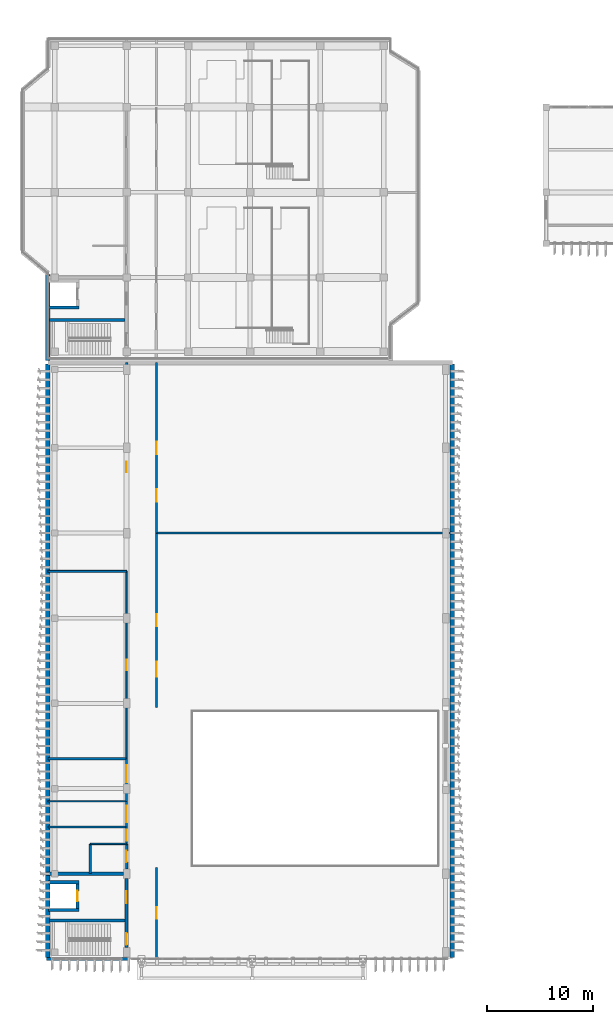
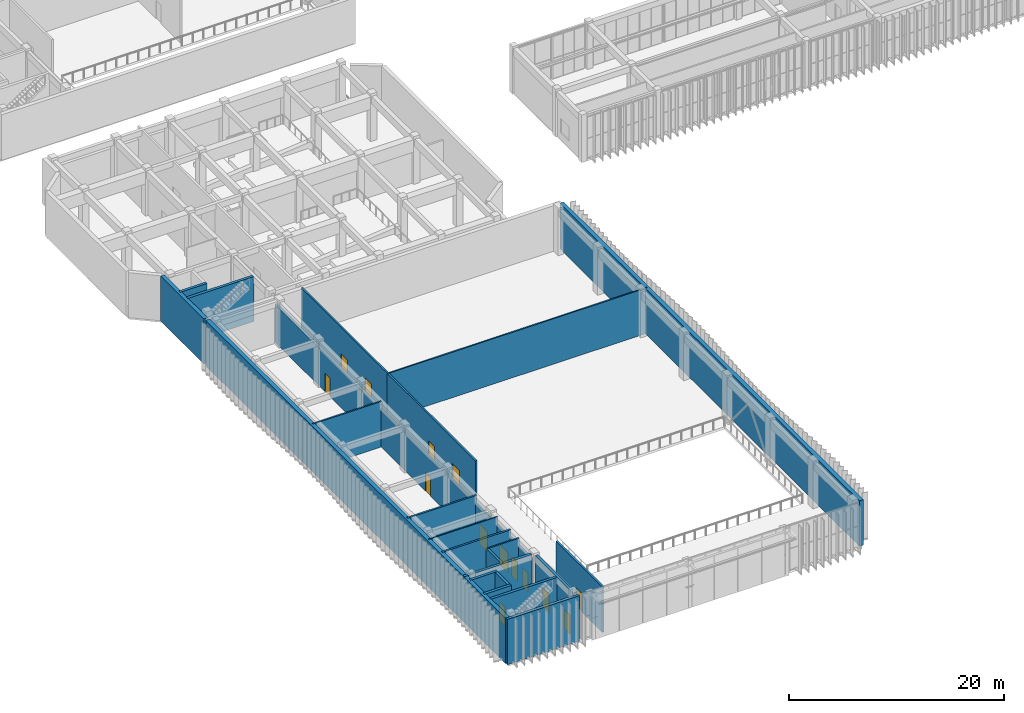
# One storey, part 38 of 64: 28 walls, 14 doors, 14 openings.
"""IFC4 building model written with IfcOpenShell, lengths in metres."""

from ifc_helpers import new_model, si_unit, direction, frame, frame_2d, origin, place, context, subcontext, project, spatial, rectangle, extrude, material, layer, layer_set, type_object, element, fill, save


model = new_model("IFC4")

# Units and contexts
model_context = context("Model", 3, precision=1e-05, world=origin(), true_north=direction((0.0, 1.0)))
body_context = subcontext(model_context, "Body", "Model", "MODEL_VIEW")
ifc_project = project(units=[si_unit("LENGTHUNIT", "METRE"), si_unit("AREAUNIT", "SQUARE_METRE"), si_unit("VOLUMEUNIT", "CUBIC_METRE"), si_unit("PLANEANGLEUNIT", "RADIAN"), si_unit("MASSUNIT", "GRAM", prefix="KILO")], contexts=[model_context])

# Site, building, storey
site_placement = place(None, origin())
site = spatial("IfcSite", under=ifc_project, at=site_placement, CompositionType="ELEMENT")
building_placement = place(site_placement, origin())
building = spatial("IfcBuilding", under=site, at=building_placement, Name="Cinchona Park Media Centre", CompositionType="ELEMENT")
storey_placement = place(building_placement, frame((0.0, 0.0, 10.199951171875)))
storey = spatial("IfcBuildingStorey", under=building, at=storey_placement, Name="L02", CompositionType="ELEMENT", Elevation=10.199951171875)

# Walls
ifc_material_1 = material(Name="Precast concrete C40/50", Category="concrete")
ifc_layer_1 = layer(ifc_material_1, 0.425048828125)
ifc_layer_set_1 = layer_set([ifc_layer_1], Name="Precast concrete C40/50")
wall_type_1 = type_object("IfcWallType", Name="WALL-W-AC01", PredefinedType="SOLIDWALL", material=ifc_layer_set_1)
for number, where, z_axis, x_axis, name in (
    (1, (46.0, 63.4599609375, 0.0), (0.0, 0.0, 1.0), (0.0, -1.0, 0.0), "Exterior Wall W-AC01 V1 L02"),
    (2, (8.0, 7.739990234375, 0.0), (0.0, 0.0, 1.0), (0.0, 1.0, 0.0), "Exterior Wall W-AC01 V1 L02"),
):
    element("IfcWall", number, at=place(storey_placement, frame(where, z_axis=z_axis, x_axis=x_axis)), inside=storey, type_object=wall_type_1, Name=name, PredefinedType="SOLIDWALL", context=body_context, shape_type="SweptSolid", body=[
        extrude(rectangle(XDim=55.719970703125, YDim=0.425048828125, at=frame_2d((27.85986328125, 0.0))), origin(), (0.0, 0.0, 1.0), 5.16015625),
    ])
wall_1_placement = place(storey_placement, frame((8.0, 63.818115234375, 0.0), z_axis=(0.0, 0.0, 1.0), x_axis=(0.0, 1.0, 0.0)))
element("IfcWall", 3, at=wall_1_placement, inside=storey, type_object=wall_type_1, Name="Exterior Wall W-AC01 V4 L02", PredefinedType="SOLIDWALL", context=body_context, shape_type="SweptSolid", body=[
    extrude(rectangle(XDim=8.0419921875, YDim=0.425048828125, at=frame_2d((4.02099609375, 0.0))), origin(), (0.0, 0.0, 1.0), 5.10009765625),
])

# Wall, opening, door
ifc_material_2 = material(Name="Acoustic Double-Stud Gypsum Partition", Category="gypsum")
ifc_layer_2 = layer(ifc_material_2, 0.2099609375)
ifc_layer_set_2 = layer_set([ifc_layer_2], Name="Acoustic Double-Stud Gypsum Partition")
wall_type_2 = type_object("IfcWallType", Name="WALL-W-AC210", PredefinedType="PARTITIONING", material=ifc_layer_set_2)
wall_2_placement = place(storey_placement, frame((15.39990234375, 18.39990234375, 0.0), z_axis=(0.0, 0.0, 1.0), x_axis=(0.0, 1.0, 0.0)))
wall_2 = element("IfcWall", 4, at=wall_2_placement, inside=storey, type_object=wall_type_2, Name="Interior Wall W-AC210 L02", PredefinedType="PARTITIONING", context=body_context, shape_type="SweptSolid", body=[
    extrude(rectangle(XDim=1.60009765625, YDim=0.2099609375, at=frame_2d((0.800048828125, 0.0))), origin(), (0.0, 0.0, 1.0), 4.31005859375),
])
opening_1_placement = place(wall_2_placement, frame((0.280029296875, 0.0, 0.0)))
opening_1 = element("IfcOpeningElement", 5, at=opening_1_placement, cuts=wall_2, Name="Opening D262", PredefinedType="OPENING", context=body_context, shape_type="SweptSolid", body=[
    extrude(rectangle(XDim=1.0400390625, YDim=2.199951171875, at=frame_2d((0.52001953125, 1.10009765625))), frame((0.0, 0.114990234375, 0.0), z_axis=(0.0, -1.0, 0.0), x_axis=(1.0, 0.0, 0.0)), (0.0, 0.0, 1.0), 0.22998046875),
])
ifc_material_3 = material(Name="Fire-Rated Acoustic Timber-Steel Door", Category="steel")
door_type_1 = type_object("IfcDoorType", Name="DOOR-DT25", OperationType="NOTDEFINED", PredefinedType="DOOR", material=ifc_material_3)
door_1_placement = place(opening_1_placement, origin())
door_1 = element("IfcDoor", 6, at=door_1_placement, inside=storey, type_object=door_type_1, Name="Interior Door D262", OperationType="SINGLE_SWING_RIGHT", OverallHeight=2.199951171875, OverallWidth=1.0400390625, PredefinedType="DOOR", context=body_context, shape_type="SweptSolid", body=[
    extrude(rectangle(XDim=1.0400390625, YDim=2.199951171875, at=frame_2d((0.52001953125, 1.10009765625))), frame((0.0, 0.02490234375, 0.0), z_axis=(0.0, -1.0, 0.0), x_axis=(1.0, 0.0, 0.0)), (0.0, 0.0, 1.0), 0.050048828125),
])
fill(opening_1, door_1)

wall_3_placement = place(storey_placement, frame((18.199951171875, 16.199951171875, 0.0), z_axis=(0.0, 0.0, 1.0), x_axis=(0.0, -1.0, 0.0)))
wall_3 = element("IfcWall", 7, at=wall_3_placement, inside=storey, type_object=wall_type_2, Name="Interior Wall W-AC210 L02", PredefinedType="PARTITIONING", context=body_context, shape_type="SweptSolid", body=[
    extrude(rectangle(XDim=8.599853515625, YDim=0.2099609375, at=frame_2d((4.2998046875, 0.0))), origin(), (0.0, 0.0, 1.0), 5.16015625),
])
opening_2_placement = place(wall_3_placement, frame((3.760009765625, 0.0, 0.0)))
opening_2 = element("IfcOpeningElement", 8, at=opening_2_placement, cuts=wall_3, Name="Opening D267", PredefinedType="OPENING", context=body_context, shape_type="SweptSolid", body=[
    extrude(rectangle(XDim=1.080078125, YDim=2.14990234375, at=frame_2d((0.5400390625, 1.074951171875))), frame((0.0, 0.114990234375, 0.0), z_axis=(0.0, -1.0, 0.0), x_axis=(1.0, 0.0, 0.0)), (0.0, 0.0, 1.0), 0.22998046875),
])
ifc_material_4 = material(Name="Fire-Rated Acoustic Timber-Steel Door", Category="steel")
door_type_2 = type_object("IfcDoorType", Name="DOOR-DT07", OperationType="NOTDEFINED", PredefinedType="DOOR", material=ifc_material_4)
door_2_placement = place(opening_2_placement, origin())
door_2 = element("IfcDoor", 9, at=door_2_placement, inside=storey, type_object=door_type_2, Name="Interior Door D267", OperationType="SINGLE_SWING_LEFT", OverallHeight=2.14990234375, OverallWidth=1.080078125, PredefinedType="DOOR", context=body_context, shape_type="SweptSolid", body=[
    extrude(rectangle(XDim=1.080078125, YDim=2.14990234375, at=frame_2d((0.5400390625, 1.074951171875))), frame((0.0, 0.02490234375, 0.0), z_axis=(0.0, -1.0, 0.0), x_axis=(1.0, 0.0, 0.0)), (0.0, 0.0, 1.0), 0.050048828125),
])
fill(opening_2, door_2)

# Wall
wall_4_placement = place(storey_placement, frame((8.0, 20.0, 0.0), z_axis=(0.0, 0.0, 1.0), x_axis=(1.0, 0.0, 0.0)))
element("IfcWall", 10, at=wall_4_placement, inside=storey, type_object=wall_type_2, Name="Interior Wall W-AC210 L02", PredefinedType="PARTITIONING", context=body_context, shape_type="SweptSolid", body=[
    extrude(rectangle(XDim=7.39990234375, YDim=0.2099609375, at=frame_2d((3.699951171875, 0.0))), origin(), (0.0, 0.0, 1.0), 5.16015625),
])

# Wall, opening, door
ifc_material_5 = material(Name="Acoustic Double-Stud Gypsum Partition", Category="gypsum")
ifc_layer_3 = layer(ifc_material_5, 0.239990234375)
ifc_layer_set_3 = layer_set([ifc_layer_3], Name="Acoustic Double-Stud Gypsum Partition")
wall_type_3 = type_object("IfcWallType", Name="WALL-W-AC240", PredefinedType="PARTITIONING", material=ifc_layer_set_3)
wall_5_placement = place(storey_placement, frame((15.39990234375, 16.052001953125, 0.0), z_axis=(0.0, 0.0, 1.0), x_axis=(0.0, 1.0, 0.0)))
wall_5 = element("IfcWall", 11, at=wall_5_placement, inside=storey, type_object=wall_type_3, Name="Interior Wall W-AC240 L02", PredefinedType="PARTITIONING", context=body_context, shape_type="SweptSolid", body=[
    extrude(rectangle(XDim=2.347900390625, YDim=0.239990234375, at=frame_2d((1.173828125, 0.0))), origin(), (0.0, 0.0, 1.0), 4.31005859375),
])
opening_3_placement = place(wall_5_placement, frame((0.64892578125, 0.0, 0.0)))
opening_3 = element("IfcOpeningElement", 12, at=opening_3_placement, cuts=wall_5, Name="Opening D261", PredefinedType="OPENING", context=body_context, shape_type="SweptSolid", body=[
    extrude(rectangle(XDim=1.050048828125, YDim=2.14990234375, at=frame_2d((0.52490234375, 1.074951171875))), frame((0.0, 0.1298828125, 0.0), z_axis=(0.0, -1.0, 0.0), x_axis=(1.0, 0.0, 0.0)), (0.0, 0.0, 1.0), 0.260009765625),
])
ifc_material_6 = material(Name="Solid-Core Timber Acoustic Door", Category="wood")
door_type_3 = type_object("IfcDoorType", Name="DOOR-DT06", OperationType="NOTDEFINED", PredefinedType="DOOR", material=ifc_material_6)
door_3_placement = place(opening_3_placement, origin())
door_3 = element("IfcDoor", 13, at=door_3_placement, inside=storey, type_object=door_type_3, Name="Interior Door D261", OperationType="SINGLE_SWING_LEFT", OverallHeight=2.14990234375, OverallWidth=1.050048828125, PredefinedType="DOOR", context=body_context, shape_type="SweptSolid", body=[
    extrude(rectangle(XDim=1.050048828125, YDim=2.14990234375, at=frame_2d((0.52490234375, 1.074951171875))), frame((0.0, 0.02490234375, 0.0), z_axis=(0.0, -1.0, 0.0), x_axis=(1.0, 0.0, 0.0)), (0.0, 0.0, 1.0), 0.050048828125),
])
fill(opening_3, door_3)

wall_6_placement = place(storey_placement, frame((15.39990234375, 44.0, 0.0), z_axis=(0.0, 0.0, 1.0), x_axis=(0.0, 1.0, 0.0)))
wall_6 = element("IfcWall", 14, at=wall_6_placement, inside=storey, type_object=wall_type_3, Name="Interior Wall W-AC240 L02", PredefinedType="PARTITIONING", context=body_context, shape_type="SweptSolid", body=[
    extrude(rectangle(XDim=19.60009765625, YDim=0.239990234375, at=frame_2d((9.800048828125, 0.0))), origin(), (0.0, 0.0, 1.0), 4.31005859375),
])
opening_4_placement = place(wall_6_placement, frame((9.300048828125, 0.0, 0.0)))
opening_4 = element("IfcOpeningElement", 15, at=opening_4_placement, cuts=wall_6, Name="Opening D266", PredefinedType="OPENING", context=body_context, shape_type="SweptSolid", body=[
    extrude(rectangle(XDim=1.0, YDim=2.10009765625, at=frame_2d((0.5, 1.050048828125))), frame((0.0, 0.1298828125, 0.0), z_axis=(0.0, -1.0, 0.0), x_axis=(1.0, 0.0, 0.0)), (0.0, 0.0, 1.0), 0.260009765625),
])
ifc_material_7 = material(Name="Fire-Rated Acoustic Timber-Steel Door", Category="steel")
door_type_4 = type_object("IfcDoorType", Name="DOOR-DT04", OperationType="NOTDEFINED", PredefinedType="DOOR", material=ifc_material_7)
door_4_placement = place(opening_4_placement, origin())
door_4 = element("IfcDoor", 16, at=door_4_placement, inside=storey, type_object=door_type_4, Name="Interior Door D266", OperationType="SINGLE_SWING_RIGHT", OverallHeight=2.10009765625, OverallWidth=1.0, PredefinedType="DOOR", context=body_context, shape_type="SweptSolid", body=[
    extrude(rectangle(XDim=1.0, YDim=2.10009765625, at=frame_2d((0.5, 1.050048828125))), frame((0.0, 0.02490234375, 0.0), z_axis=(0.0, -1.0, 0.0), x_axis=(1.0, 0.0, 0.0)), (0.0, 0.0, 1.0), 0.050048828125),
])
fill(opening_4, door_4)

# Walls
wall_7_placement = place(storey_placement, frame((12.0, 15.60009765625, 0.0), z_axis=(0.0, 0.0, 1.0), x_axis=(0.0, 1.0, 0.0)))
element("IfcWall", 17, at=wall_7_placement, inside=storey, type_object=wall_type_3, Name="Interior Wall W-AC240 L02", PredefinedType="PARTITIONING", context=body_context, shape_type="SweptSolid", body=[
    extrude(rectangle(XDim=2.7998046875, YDim=0.239990234375, at=frame_2d((1.39990234375, 0.0))), origin(), (0.0, 0.0, 1.0), 5.16015625),
])
ifc_material_8 = material(Name="Gypsum Metal-Stud Partition", Category="gypsum")
ifc_layer_4 = layer(ifc_material_8, 0.114990234375)
ifc_layer_set_4 = layer_set([ifc_layer_4], Name="Gypsum Metal-Stud Partition")
wall_type_4 = type_object("IfcWallType", Name="WALL-W-PT115", PredefinedType="PARTITIONING", material=ifc_layer_set_4)
wall_8_placement = place(storey_placement, frame((8.0, 22.39990234375, 0.0), z_axis=(0.0, 0.0, 1.0), x_axis=(1.0, 0.0, 0.0)))
element("IfcWall", 18, at=wall_8_placement, inside=storey, type_object=wall_type_4, Name="Interior Wall W-PT115 L02", PredefinedType="PARTITIONING", context=body_context, shape_type="SweptSolid", body=[
    extrude(rectangle(XDim=7.39990234375, YDim=0.114990234375, at=frame_2d((3.699951171875, 0.0))), origin(), (0.0, 0.0, 1.0), 5.16015625),
])

# Wall, opening, door
ifc_material_9 = material(Name="Fire-Rated Gypsum Stud Partition", Category="gypsum")
ifc_layer_5 = layer(ifc_material_9, 0.14990234375)
ifc_layer_set_5 = layer_set([ifc_layer_5], Name="Fire-Rated Gypsum Stud Partition")
wall_type_5 = type_object("IfcWallType", Name="WALL-W-PT150", PredefinedType="PARTITIONING", material=ifc_layer_set_5)
wall_9_placement = place(storey_placement, frame((15.39990234375, 26.39990234375, 0.0), z_axis=(0.0, 0.0, 1.0), x_axis=(0.0, 1.0, 0.0)))
wall_9 = element("IfcWall", 19, at=wall_9_placement, inside=storey, type_object=wall_type_5, Name="Interior Wall W-PT150 L02", PredefinedType="PARTITIONING", context=body_context, shape_type="SweptSolid", body=[
    extrude(rectangle(XDim=17.60009765625, YDim=0.14990234375, at=frame_2d((8.800048828125, 0.0))), origin(), (0.0, 0.0, 1.0), 4.31005859375),
])
opening_5_placement = place(wall_9_placement, frame((8.31005859375, 0.0, 0.0)))
opening_5 = element("IfcOpeningElement", 20, at=opening_5_placement, cuts=wall_9, Name="Opening D265", PredefinedType="OPENING", context=body_context, shape_type="SweptSolid", body=[
    extrude(rectangle(XDim=0.97998046875, YDim=2.10009765625, at=frame_2d((0.489990234375, 1.050048828125))), frame((0.0, 0.0849609375, 0.0), z_axis=(0.0, -1.0, 0.0), x_axis=(1.0, 0.0, 0.0)), (0.0, 0.0, 1.0), 0.169921875),
])
ifc_material_10 = material(Name="Fire-Rated Acoustic Timber-Steel Door", Category="steel")
door_type_5 = type_object("IfcDoorType", Name="DOOR-DT03", OperationType="NOTDEFINED", PredefinedType="DOOR", material=ifc_material_10)
door_5_placement = place(opening_5_placement, origin())
door_5 = element("IfcDoor", 21, at=door_5_placement, inside=storey, type_object=door_type_5, Name="Interior Door D265", OperationType="SINGLE_SWING_LEFT", OverallHeight=2.10009765625, OverallWidth=0.97998046875, PredefinedType="DOOR", context=body_context, shape_type="SweptSolid", body=[
    extrude(rectangle(XDim=0.97998046875, YDim=2.10009765625, at=frame_2d((0.489990234375, 1.050048828125))), frame((0.0, 0.02490234375, 0.0), z_axis=(0.0, -1.0, 0.0), x_axis=(1.0, 0.0, 0.0)), (0.0, 0.0, 1.0), 0.050048828125),
])
fill(opening_5, door_5)

# Walls
wall_10_placement = place(storey_placement, frame((12.0, 18.39990234375, 0.0), z_axis=(0.0, 0.0, 1.0), x_axis=(1.0, 0.0, 0.0)))
element("IfcWall", 22, at=wall_10_placement, inside=storey, type_object=wall_type_5, Name="Interior Wall W-PT150 L02", PredefinedType="PARTITIONING", context=body_context, shape_type="SweptSolid", body=[
    extrude(rectangle(XDim=3.39990234375, YDim=0.14990234375, at=frame_2d((1.699951171875, 0.0))), origin(), (0.0, 0.0, 1.0), 5.16015625),
])
wall_11_placement = place(storey_placement, frame((18.199951171875, 47.60009765625, 0.0), z_axis=(0.0, 0.0, 1.0), x_axis=(1.0, 0.0, 0.0)))
element("IfcWall", 23, at=wall_11_placement, inside=storey, type_object=wall_type_5, Name="Interior Wall W-PT150 L02", PredefinedType="PARTITIONING", context=body_context, shape_type="SweptSolid", body=[
    extrude(rectangle(XDim=27.800048828125, YDim=0.14990234375, at=frame_2d((13.89990234375, 0.0))), origin(), (0.0, 0.0, 1.0), 5.16015625),
])

# Wall, opening, door
ifc_material_11 = material(Name="Fire-Rated Gypsum Stud Partition", Category="gypsum")
ifc_layer_6 = layer(ifc_material_11, 0.1650390625)
ifc_layer_set_6 = layer_set([ifc_layer_6], Name="Fire-Rated Gypsum Stud Partition")
wall_type_6 = type_object("IfcWallType", Name="WALL-W-PT165", PredefinedType="PARTITIONING", material=ifc_layer_set_6)
wall_12_placement = place(storey_placement, frame((15.39990234375, 22.39990234375, 0.0), z_axis=(0.0, 0.0, 1.0), x_axis=(0.0, 1.0, 0.0)))
wall_12 = element("IfcWall", 24, at=wall_12_placement, inside=storey, type_object=wall_type_6, Name="Interior Wall W-PT165 L02", PredefinedType="PARTITIONING", context=body_context, shape_type="SweptSolid", body=[
    extrude(rectangle(XDim=4.0, YDim=0.1650390625, at=frame_2d((2.0, 0.0))), origin(), (0.0, 0.0, 1.0), 4.31005859375),
])
opening_6_placement = place(wall_12_placement, frame((1.780029296875, 0.0, 0.0)))
opening_6 = element("IfcOpeningElement", 25, at=opening_6_placement, cuts=wall_12, Name="Opening D264", PredefinedType="OPENING", context=body_context, shape_type="SweptSolid", body=[
    extrude(rectangle(XDim=1.60009765625, YDim=2.300048828125, at=frame_2d((0.800048828125, 1.14990234375))), frame((0.0, 0.092529296875, 0.0), z_axis=(0.0, -1.0, 0.0), x_axis=(1.0, 0.0, 0.0)), (0.0, 0.0, 1.0), 0.18505859375),
])
ifc_material_12 = material(Name="Solid-Core Timber Acoustic Door", Category="wood")
door_type_6 = type_object("IfcDoorType", Name="DOOR-DT17", OperationType="NOTDEFINED", PredefinedType="DOOR", material=ifc_material_12)
door_6_placement = place(opening_6_placement, origin())
door_6 = element("IfcDoor", 26, at=door_6_placement, inside=storey, type_object=door_type_6, Name="Interior Door D264", OperationType="SINGLE_SWING_RIGHT", OverallHeight=2.300048828125, OverallWidth=1.60009765625, PredefinedType="DOOR", context=body_context, shape_type="SweptSolid", body=[
    extrude(rectangle(XDim=1.60009765625, YDim=2.300048828125, at=frame_2d((0.800048828125, 1.14990234375))), frame((0.0, 0.02490234375, 0.0), z_axis=(0.0, -1.0, 0.0), x_axis=(1.0, 0.0, 0.0)), (0.0, 0.0, 1.0), 0.050048828125),
])
fill(opening_6, door_6)

# Wall, openings, doors
wall_13_placement = place(storey_placement, frame((18.199951171875, 63.60009765625, 0.0), z_axis=(0.0, 0.0, 1.0), x_axis=(0.0, -1.0, 0.0)))
wall_13 = element("IfcWall", 27, at=wall_13_placement, inside=storey, type_object=wall_type_6, Name="Interior Wall W-PT165 L02", PredefinedType="PARTITIONING", context=body_context, shape_type="SweptSolid", body=[
    extrude(rectangle(XDim=16.0, YDim=0.1650390625, at=frame_2d((8.0, 0.0))), origin(), (0.0, 0.0, 1.0), 5.16015625),
])
opening_7_placement = place(wall_13_placement, frame((7.409912109375, 0.0, 0.0)))
opening_7 = element("IfcOpeningElement", 28, at=opening_7_placement, cuts=wall_13, Name="Opening D270", PredefinedType="OPENING", context=body_context, shape_type="SweptSolid", body=[
    extrude(rectangle(XDim=1.179931640625, YDim=2.14990234375, at=frame_2d((0.58984375, 1.074951171875))), frame((0.0, 0.092529296875, 0.0), z_axis=(0.0, -1.0, 0.0), x_axis=(1.0, 0.0, 0.0)), (0.0, 0.0, 1.0), 0.18505859375),
])
opening_8_placement = place(wall_13_placement, frame((11.889892578125, 0.0, 0.0)))
opening_8 = element("IfcOpeningElement", 29, at=opening_8_placement, cuts=wall_13, Name="Opening D271", PredefinedType="OPENING", context=body_context, shape_type="SweptSolid", body=[
    extrude(rectangle(XDim=1.179931640625, YDim=2.14990234375, at=frame_2d((0.58984375, 1.074951171875))), frame((0.0, 0.092529296875, 0.0), z_axis=(0.0, -1.0, 0.0), x_axis=(1.0, 0.0, 0.0)), (0.0, 0.0, 1.0), 0.18505859375),
])
ifc_material_13 = material(Name="Fire-Rated Acoustic Timber-Steel Door", Category="steel")
door_type_7 = type_object("IfcDoorType", Name="DOOR-DT09", OperationType="NOTDEFINED", PredefinedType="DOOR", material=ifc_material_13)
door_7_placement = place(opening_7_placement, origin())
door_7 = element("IfcDoor", 30, at=door_7_placement, inside=storey, type_object=door_type_7, Name="Interior Door D270", OperationType="SINGLE_SWING_RIGHT", OverallHeight=2.14990234375, OverallWidth=1.179931640625, PredefinedType="DOOR", context=body_context, shape_type="SweptSolid", body=[
    extrude(rectangle(XDim=1.179931640625, YDim=2.14990234375, at=frame_2d((0.58984375, 1.074951171875))), frame((0.0, 0.02490234375, 0.0), z_axis=(0.0, -1.0, 0.0), x_axis=(1.0, 0.0, 0.0)), (0.0, 0.0, 1.0), 0.050048828125),
])
fill(opening_7, door_7)
door_8_placement = place(opening_8_placement, origin())
door_8 = element("IfcDoor", 31, at=door_8_placement, inside=storey, type_object=door_type_7, Name="Interior Door D271", OperationType="SINGLE_SWING_LEFT", OverallHeight=2.14990234375, OverallWidth=1.179931640625, PredefinedType="DOOR", context=body_context, shape_type="SweptSolid", body=[
    extrude(rectangle(XDim=1.179931640625, YDim=2.14990234375, at=frame_2d((0.58984375, 1.074951171875))), frame((0.0, 0.02490234375, 0.0), z_axis=(0.0, -1.0, 0.0), x_axis=(1.0, 0.0, 0.0)), (0.0, 0.0, 1.0), 0.050048828125),
])
fill(opening_8, door_8)

# Wall
wall_14_placement = place(storey_placement, frame((8.0, 44.0, 0.0), z_axis=(0.0, 0.0, 1.0), x_axis=(1.0, 0.0, 0.0)))
element("IfcWall", 32, at=wall_14_placement, inside=storey, type_object=wall_type_6, Name="Interior Wall W-PT165 L02", PredefinedType="PARTITIONING", context=body_context, shape_type="SweptSolid", body=[
    extrude(rectangle(XDim=7.39990234375, YDim=0.1650390625, at=frame_2d((3.699951171875, 0.0))), origin(), (0.0, 0.0, 1.0), 5.16015625),
])

# Wall, opening, door
ifc_material_14 = material(Name="Fire-Rated Gypsum Stud Partition", Category="gypsum")
ifc_layer_7 = layer(ifc_material_14, 0.18994140625)
ifc_layer_set_7 = layer_set([ifc_layer_7], Name="Fire-Rated Gypsum Stud Partition")
wall_type_7 = type_object("IfcWallType", Name="WALL-W-PT190", PredefinedType="PARTITIONING", material=ifc_layer_set_7)
wall_15_placement = place(storey_placement, frame((15.39990234375, 20.0, 0.0), z_axis=(0.0, 0.0, 1.0), x_axis=(0.0, 1.0, 0.0)))
wall_15 = element("IfcWall", 33, at=wall_15_placement, inside=storey, type_object=wall_type_7, Name="Interior Wall W-PT190 L02", PredefinedType="PARTITIONING", context=body_context, shape_type="SweptSolid", body=[
    extrude(rectangle(XDim=2.39990234375, YDim=0.18994140625, at=frame_2d((1.199951171875, 0.0))), origin(), (0.0, 0.0, 1.0), 4.31005859375),
])
opening_9_placement = place(wall_15_placement, frame((0.425048828125, 0.0, 0.0)))
opening_9 = element("IfcOpeningElement", 34, at=opening_9_placement, cuts=wall_15, Name="Opening D263", PredefinedType="OPENING", context=body_context, shape_type="SweptSolid", body=[
    extrude(rectangle(XDim=1.550048828125, YDim=2.25, at=frame_2d((0.77490234375, 1.125))), frame((0.0, 0.10498046875, 0.0), z_axis=(0.0, -1.0, 0.0), x_axis=(1.0, 0.0, 0.0)), (0.0, 0.0, 1.0), 0.2099609375),
])
ifc_material_15 = material(Name="Solid-Core Timber Acoustic Door", Category="wood")
door_type_8 = type_object("IfcDoorType", Name="DOOR-DT16", OperationType="NOTDEFINED", PredefinedType="DOOR", material=ifc_material_15)
door_9_placement = place(opening_9_placement, origin())
door_9 = element("IfcDoor", 35, at=door_9_placement, inside=storey, type_object=door_type_8, Name="Interior Door D263", OperationType="SINGLE_SWING_LEFT", OverallHeight=2.25, OverallWidth=1.550048828125, PredefinedType="DOOR", context=body_context, shape_type="SweptSolid", body=[
    extrude(rectangle(XDim=1.550048828125, YDim=2.25, at=frame_2d((0.77490234375, 1.125))), frame((0.0, 0.02490234375, 0.0), z_axis=(0.0, -1.0, 0.0), x_axis=(1.0, 0.0, 0.0)), (0.0, 0.0, 1.0), 0.050048828125),
])
fill(opening_9, door_9)

# Wall, openings, doors
wall_16_placement = place(storey_placement, frame((18.199951171875, 47.60009765625, 0.0), z_axis=(0.0, 0.0, 1.0), x_axis=(0.0, -1.0, 0.0)))
wall_16 = element("IfcWall", 36, at=wall_16_placement, inside=storey, type_object=wall_type_7, Name="Interior Wall W-PT190 L02", PredefinedType="PARTITIONING", context=body_context, shape_type="SweptSolid", body=[
    extrude(rectangle(XDim=16.400146484375, YDim=0.18994140625, at=frame_2d((8.2001953125, 0.0))), origin(), (0.0, 0.0, 1.0), 5.16015625),
])
opening_10_placement = place(wall_16_placement, frame((7.639892578125, 0.0, 0.0)))
opening_10 = element("IfcOpeningElement", 37, at=opening_10_placement, cuts=wall_16, Name="Opening D268", PredefinedType="OPENING", context=body_context, shape_type="SweptSolid", body=[
    extrude(rectangle(XDim=1.1201171875, YDim=2.14990234375, at=frame_2d((0.56005859375, 1.074951171875))), frame((0.0, 0.10498046875, 0.0), z_axis=(0.0, -1.0, 0.0), x_axis=(1.0, 0.0, 0.0)), (0.0, 0.0, 1.0), 0.2099609375),
])
opening_11_placement = place(wall_16_placement, frame((12.092041015625, 0.0, 0.0)))
opening_11 = element("IfcOpeningElement", 38, at=opening_11_placement, cuts=wall_16, Name="Opening D269", PredefinedType="OPENING", context=body_context, shape_type="SweptSolid", body=[
    extrude(rectangle(XDim=1.39990234375, YDim=2.25, at=frame_2d((0.699951171875, 1.125))), frame((0.0, 0.10498046875, 0.0), z_axis=(0.0, -1.0, 0.0), x_axis=(1.0, 0.0, 0.0)), (0.0, 0.0, 1.0), 0.2099609375),
])
ifc_material_16 = material(Name="Acoustic Double-Seal Steel Door", Category="steel")
door_type_9 = type_object("IfcDoorType", Name="DOOR-DT-AC", OperationType="NOTDEFINED", PredefinedType="DOOR", material=ifc_material_16)
door_10_placement = place(opening_11_placement, origin())
door_10 = element("IfcDoor", 39, at=door_10_placement, inside=storey, type_object=door_type_9, Name="Interior Door D269", OperationType="SINGLE_SWING_LEFT", OverallHeight=2.25, OverallWidth=1.39990234375, PredefinedType="DOOR", context=body_context, shape_type="SweptSolid", body=[
    extrude(rectangle(XDim=1.39990234375, YDim=2.25, at=frame_2d((0.699951171875, 1.125))), frame((0.0, 0.02490234375, 0.0), z_axis=(0.0, -1.0, 0.0), x_axis=(1.0, 0.0, 0.0)), (0.0, 0.0, 1.0), 0.050048828125),
])
fill(opening_11, door_10)
ifc_material_17 = material(Name="Fire-Rated Acoustic Timber-Steel Door", Category="steel")
door_type_10 = type_object("IfcDoorType", Name="DOOR-DT08", OperationType="NOTDEFINED", PredefinedType="DOOR", material=ifc_material_17)
door_11_placement = place(opening_10_placement, origin())
door_11 = element("IfcDoor", 40, at=door_11_placement, inside=storey, type_object=door_type_10, Name="Interior Door D268", OperationType="SINGLE_SWING_RIGHT", OverallHeight=2.14990234375, OverallWidth=1.1201171875, PredefinedType="DOOR", context=body_context, shape_type="SweptSolid", body=[
    extrude(rectangle(XDim=1.1201171875, YDim=2.14990234375, at=frame_2d((0.56005859375, 1.074951171875))), frame((0.0, 0.02490234375, 0.0), z_axis=(0.0, -1.0, 0.0), x_axis=(1.0, 0.0, 0.0)), (0.0, 0.0, 1.0), 0.050048828125),
])
fill(opening_10, door_11)

# Walls
wall_17_placement = place(storey_placement, frame((8.0, 26.39990234375, 0.0), z_axis=(0.0, 0.0, 1.0), x_axis=(1.0, 0.0, 0.0)))
element("IfcWall", 41, at=wall_17_placement, inside=storey, type_object=wall_type_7, Name="Interior Wall W-PT190 L02", PredefinedType="PARTITIONING", context=body_context, shape_type="SweptSolid", body=[
    extrude(rectangle(XDim=7.39990234375, YDim=0.18994140625, at=frame_2d((3.699951171875, 0.0))), origin(), (0.0, 0.0, 1.0), 5.16015625),
])
ifc_material_18 = material(Name="Concrete C40/50", Category="concrete")
ifc_layer_8 = layer(ifc_material_18, 0.2900390625)
ifc_layer_set_8 = layer_set([ifc_layer_8], Name="Concrete C40/50")
wall_type_8 = type_object("IfcWallType", Name="WALL-W-SH290", PredefinedType="SHEAR", material=ifc_layer_set_8)
wall_18_placement = place(storey_placement, frame((8.14501953125, 67.60009765625, 0.0), z_axis=(0.0, 0.0, 1.0), x_axis=(1.0, 0.0, 0.0)))
element("IfcWall", 42, at=wall_18_placement, inside=storey, type_object=wall_type_8, Name="Core Shear Wall W-SH290 L02", PredefinedType="SHEAR", context=body_context, shape_type="SweptSolid", body=[
    extrude(rectangle(XDim=7.10986328125, YDim=0.2900390625, at=frame_2d((3.554931640625, 0.0))), origin(), (0.0, 0.0, 1.0), 5.10009765625),
])
wall_19_placement = place(storey_placement, frame((8.054931640625, 68.800048828125, 0.0), z_axis=(0.0, 0.0, 1.0), x_axis=(1.0, 0.0, 0.0)))
element("IfcWall", 43, at=wall_19_placement, inside=storey, type_object=wall_type_8, Name="Core Shear Wall W-SH290 L02", PredefinedType="SHEAR", context=body_context, shape_type="SweptSolid", body=[
    extrude(rectangle(XDim=2.89013671875, YDim=0.2900390625, at=frame_2d((1.445068359375, 0.0))), origin(), (0.0, 0.0, 1.0), 5.10009765625),
])
wall_20_placement = place(storey_placement, frame((7.85498046875, 7.60009765625, 0.0), z_axis=(0.0, 0.0, 1.0), x_axis=(1.0, 0.0, 0.0)))
element("IfcWall", 44, at=wall_20_placement, inside=storey, type_object=wall_type_8, Name="Core Shear Wall W-SH290 L02", PredefinedType="SHEAR", context=body_context, shape_type="SweptSolid", body=[
    extrude(rectangle(XDim=7.68994140625, YDim=0.2900390625, at=frame_2d((3.844970703125, 0.0))), origin(), (0.0, 0.0, 1.0), 5.16015625),
])
wall_21_placement = place(storey_placement, frame((7.85498046875, 15.60009765625, 0.0), z_axis=(0.0, 0.0, 1.0), x_axis=(1.0, 0.0, 0.0)))
element("IfcWall", 45, at=wall_21_placement, inside=storey, type_object=wall_type_8, Name="Core Shear Wall W-SH290 L02", PredefinedType="SHEAR", context=body_context, shape_type="SweptSolid", body=[
    extrude(rectangle(XDim=7.242919921875, YDim=0.2900390625, at=frame_2d((3.62158203125, 0.0))), origin(), (0.0, 0.0, 1.0), 5.16015625),
])

# Wall, openings, doors
wall_22_placement = place(storey_placement, frame((15.39990234375, 8.69189453125, 0.0), z_axis=(0.0, 0.0, 1.0), x_axis=(0.0, 1.0, 0.0)))
wall_22 = element("IfcWall", 46, at=wall_22_placement, inside=storey, type_object=wall_type_8, Name="Core Shear Wall W-SH290 L02", PredefinedType="SHEAR", context=body_context, shape_type="SweptSolid", body=[
    extrude(rectangle(XDim=6.4560546875, YDim=0.2900390625, at=frame_2d((3.22802734375, 0.0))), origin(), (0.0, 0.0, 1.0), 5.16015625),
])
opening_12_placement = place(wall_22_placement, frame((0.219970703125, 0.0, 0.0)))
opening_12 = element("IfcOpeningElement", 47, at=opening_12_placement, cuts=wall_22, Name="Opening D086", PredefinedType="OPENING", context=body_context, shape_type="SweptSolid", body=[
    extrude(rectangle(XDim=1.10009765625, YDim=2.14990234375, at=frame_2d((0.550048828125, 1.074951171875))), frame((0.0, 0.155029296875, 0.0), z_axis=(0.0, -1.0, 0.0), x_axis=(1.0, 0.0, 0.0)), (0.0, 0.0, 1.0), 0.31005859375),
])
opening_13_placement = place(wall_22_placement, frame((4.133056640625, 0.0, 0.0)))
opening_13 = element("IfcOpeningElement", 48, at=opening_13_placement, cuts=wall_22, Name="Opening D087", PredefinedType="OPENING", context=body_context, shape_type="SweptSolid", body=[
    extrude(rectangle(XDim=1.14990234375, YDim=2.199951171875, at=frame_2d((0.574951171875, 1.10009765625))), frame((0.0, 0.155029296875, 0.0), z_axis=(0.0, -1.0, 0.0), x_axis=(1.0, 0.0, 0.0)), (0.0, 0.0, 1.0), 0.31005859375),
])
ifc_material_19 = material(Name="Insulated Fire-Rated Steel Door", Category="steel")
door_type_11 = type_object("IfcDoorType", Name="DOOR-DT-FF", OperationType="NOTDEFINED", PredefinedType="DOOR", material=ifc_material_19)
door_12_placement = place(opening_13_placement, origin())
door_12 = element("IfcDoor", 49, at=door_12_placement, inside=storey, type_object=door_type_11, Name="Interior Door D087", OperationType="SINGLE_SWING_LEFT", OverallHeight=2.199951171875, OverallWidth=1.14990234375, PredefinedType="DOOR", context=body_context, shape_type="SweptSolid", body=[
    extrude(rectangle(XDim=1.14990234375, YDim=2.199951171875, at=frame_2d((0.574951171875, 1.10009765625))), frame((0.0, 0.02490234375, 0.0), z_axis=(0.0, -1.0, 0.0), x_axis=(1.0, 0.0, 0.0)), (0.0, 0.0, 1.0), 0.050048828125),
])
fill(opening_13, door_12)
ifc_material_20 = material(Name="Insulated Fire-Rated Steel Door", Category="steel")
door_type_12 = type_object("IfcDoorType", Name="DOOR-DT-ST", OperationType="NOTDEFINED", PredefinedType="DOOR", material=ifc_material_20)
door_13_placement = place(opening_12_placement, origin())
door_13 = element("IfcDoor", 50, at=door_13_placement, inside=storey, type_object=door_type_12, Name="Interior Door D086", OperationType="SINGLE_SWING_RIGHT", OverallHeight=2.14990234375, OverallWidth=1.10009765625, PredefinedType="DOOR", context=body_context, shape_type="SweptSolid", body=[
    extrude(rectangle(XDim=1.10009765625, YDim=2.14990234375, at=frame_2d((0.550048828125, 1.074951171875))), frame((0.0, 0.02490234375, 0.0), z_axis=(0.0, -1.0, 0.0), x_axis=(1.0, 0.0, 0.0)), (0.0, 0.0, 1.0), 0.050048828125),
])
fill(opening_12, door_13)

# Walls
wall_23_placement = place(storey_placement, frame((8.14501953125, 11.199951171875, 0.0), z_axis=(0.0, 0.0, 1.0), x_axis=(1.0, 0.0, 0.0)))
element("IfcWall", 51, at=wall_23_placement, inside=storey, type_object=wall_type_8, Name="Core Shear Wall W-SH290 L02", PredefinedType="SHEAR", context=body_context, shape_type="SweptSolid", body=[
    extrude(rectangle(XDim=7.10986328125, YDim=0.2900390625, at=frame_2d((3.554931640625, 0.0))), origin(), (0.0, 0.0, 1.0), 5.16015625),
])
for number, where, z_axis, x_axis, name in (
    (52, (8.054931640625, 12.199951171875, 0.0), (0.0, 0.0, 1.0), (1.0, 0.0, 0.0), "Core Shear Wall W-SH290 L02"),
    (53, (8.054931640625, 14.800048828125, 0.0), (0.0, 0.0, 1.0), (1.0, 0.0, 0.0), "Core Shear Wall W-SH290 L02"),
):
    element("IfcWall", number, at=place(storey_placement, frame(where, z_axis=z_axis, x_axis=x_axis)), inside=storey, type_object=wall_type_8, Name=name, PredefinedType="SHEAR", context=body_context, shape_type="SweptSolid", body=[
        extrude(rectangle(XDim=2.89013671875, YDim=0.2900390625, at=frame_2d((1.445068359375, 0.0))), origin(), (0.0, 0.0, 1.0), 5.16015625),
    ])

# Wall, opening, door
wall_24_placement = place(storey_placement, frame((10.800048828125, 12.344970703125, 0.0), z_axis=(0.0, 0.0, 1.0), x_axis=(0.0, 1.0, 0.0)))
wall_24 = element("IfcWall", 54, at=wall_24_placement, inside=storey, type_object=wall_type_8, Name="Core Shear Wall W-SH290 L02", PredefinedType="SHEAR", context=body_context, shape_type="SweptSolid", body=[
    extrude(rectangle(XDim=2.31005859375, YDim=0.2900390625, at=frame_2d((1.155029296875, 0.0))), origin(), (0.0, 0.0, 1.0), 5.16015625),
])
opening_14_placement = place(wall_24_placement, frame((0.655029296875, 0.0, 0.0)))
opening_14 = element("IfcOpeningElement", 55, at=opening_14_placement, cuts=wall_24, Name="Opening LD27", PredefinedType="OPENING", context=body_context, shape_type="SweptSolid", body=[
    extrude(rectangle(XDim=1.0, YDim=2.14990234375, at=frame_2d((0.5, 1.074951171875))), frame((0.0, 0.155029296875, 0.0), z_axis=(0.0, -1.0, 0.0), x_axis=(1.0, 0.0, 0.0)), (0.0, 0.0, 1.0), 0.31005859375),
])
ifc_material_21 = material(Name="Stainless Steel Sliding Lift Landing Door", Category="steel")
door_type_13 = type_object("IfcDoorType", Name="DOOR-DT-LD2", OperationType="NOTDEFINED", PredefinedType="DOOR", material=ifc_material_21)
door_14_placement = place(opening_14_placement, origin())
door_14 = element("IfcDoor", 56, at=door_14_placement, inside=storey, type_object=door_type_13, Name="Lift Landing Door LD27", OperationType="SLIDING_TO_LEFT", OverallHeight=2.14990234375, OverallWidth=1.0, PredefinedType="DOOR", context=body_context, shape_type="SweptSolid", body=[
    extrude(rectangle(XDim=1.0, YDim=2.14990234375, at=frame_2d((0.5, 1.074951171875))), frame((0.0, 0.02490234375, 0.0), z_axis=(0.0, -1.0, 0.0), x_axis=(1.0, 0.0, 0.0)), (0.0, 0.0, 1.0), 0.050048828125),
])
fill(opening_14, door_14)

save(model, "model.ifc")
